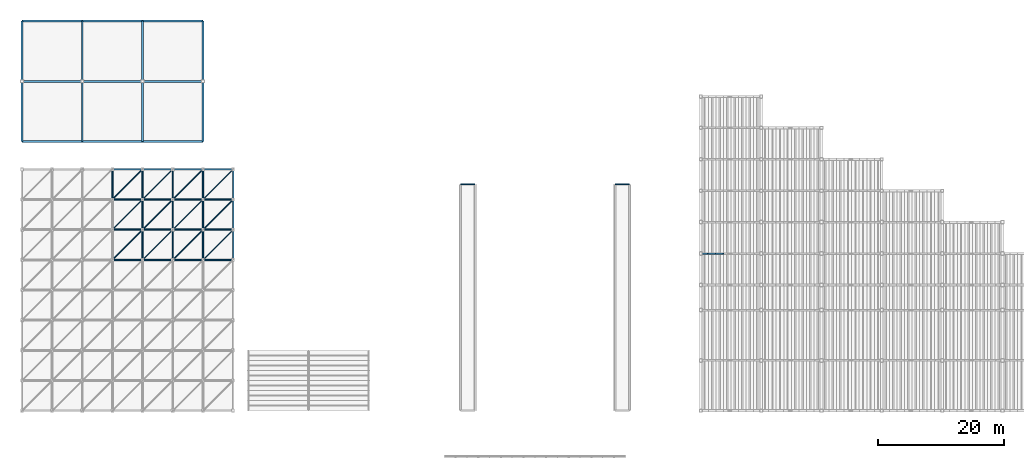
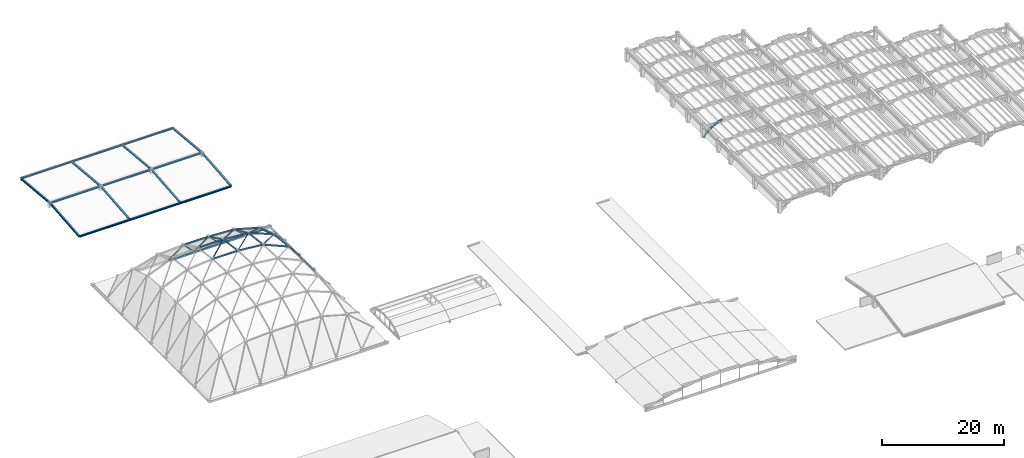
# One storey, part 19 of 70: 37 members, 26 beams.
"""IFC4 building model written with IfcOpenShell, lengths in metres."""

import ifcopenshell
import ifcopenshell.guid

model = None  # the IFC model being written
_history = None  # IfcOwnerHistory: only IFC2X3 demands one
_inside = {}  # id of a spatial element -> (the spatial element, [elements in it])
_under = {}  # id of a project, library or spatial element -> (it, [spatial elements below it])
_declared = {}  # id of a project -> (the project, [libraries it declares])
_typed = {}  # id of a type object -> (the type object, [elements of that type])
_made_of = {}  # id of a material, layer set ... -> (it, [elements and type objects made of it])


def new_model(schema):
    """Start an empty IFC model of exactly this schema.

    Asked for "IFC4X3", IfcOpenShell would pick the latest addendum, in which some entities
    have other attributes; the version numbers below select the first issue.
    IFC2X3 requires an IfcOwnerHistory on every rooted entity: one is made here for all.
    """
    global model, _history
    if schema == "IFC4X3":
        model = ifcopenshell.file(schema_version=(4, 3, 0, 0))
    else:
        model = ifcopenshell.file(schema=schema)
    _inside.clear()
    _under.clear()
    _declared.clear()
    _typed.clear()
    _made_of.clear()
    _history = None
    if model.schema == "IFC2X3":
        org = make("IfcOrganization", Name="unknown")
        user = make(
            "IfcPersonAndOrganization",
            ThePerson=make("IfcPerson", FamilyName="unknown"),
            TheOrganization=org,
        )
        app = make(
            "IfcApplication",
            ApplicationDeveloper=org,
            Version="unknown",
            ApplicationFullName="unknown",
            ApplicationIdentifier="unknown",
        )
        _history = make(
            "IfcOwnerHistory",
            OwningUser=user,
            OwningApplication=app,
            ChangeAction="ADDED",
            CreationDate=0,
        )
    return model


def make(cls, **values):
    """One entity of the class cls with the attributes given. An attribute that is None is left unset."""
    return model.create_entity(
        cls, **{name: value for name, value in values.items() if value is not None}
    )


def rooted(cls, **values):
    """An entity with a GlobalId (a new one), such as an element, a storey or a relation."""
    return make(cls, GlobalId=ifcopenshell.guid.new(), OwnerHistory=_history, **values)


def si_unit(unit_type, name, prefix=None):
    """IfcSIUnit, for example si_unit("LENGTHUNIT", "METRE", prefix="MILLI")."""
    return make("IfcSIUnit", UnitType=unit_type, Prefix=prefix, Name=name)


def assignment(units):
    """IfcUnitAssignment: the units of a project."""
    return None if units is None else make("IfcUnitAssignment", Units=units)


def point(xyz):
    """IfcCartesianPoint."""
    return None if xyz is None else make("IfcCartesianPoint", Coordinates=xyz)


def direction(xyz):
    """IfcDirection."""
    return None if xyz is None else make("IfcDirection", DirectionRatios=xyz)


def frame(location, z_axis=None, x_axis=None):
    """IfcAxis2Placement3D, a coordinate frame: its origin and axes. An axis left out is left unset."""
    return make(
        "IfcAxis2Placement3D",
        Location=point(location),
        Axis=direction(z_axis),
        RefDirection=direction(x_axis),
    )


def frame_2d(location, x_axis=None):
    """IfcAxis2Placement2D, a coordinate frame in the plane: its origin and x axis."""
    return make(
        "IfcAxis2Placement2D", Location=point(location), RefDirection=direction(x_axis)
    )


def origin():
    """The frame at (0, 0, 0) with its axes left unset."""
    return frame((0.0, 0.0, 0.0))


def origin_2d():
    """The frame at (0, 0) in the plane with its x axis left unset."""
    return frame_2d((0.0, 0.0))


def place(relative_to, where):
    """IfcLocalPlacement: puts the frame where relative to a parent placement (None: the world)."""
    return make(
        "IfcLocalPlacement", PlacementRelTo=relative_to, RelativePlacement=where
    )


def context(
    kind, dimensions, precision=None, world=None, true_north=None, identifier=None
):
    """IfcGeometricRepresentationContext, for example the 3D "Model" context."""
    return make(
        "IfcGeometricRepresentationContext",
        ContextIdentifier=identifier,
        ContextType=kind,
        CoordinateSpaceDimension=dimensions,
        Precision=precision,
        WorldCoordinateSystem=world,
        TrueNorth=true_north,
    )


def subcontext(parent, identifier, kind, view, scale=None):
    """IfcGeometricRepresentationSubContext, for example "Body" below "Model"."""
    return make(
        "IfcGeometricRepresentationSubContext",
        ContextIdentifier=identifier,
        ContextType=kind,
        ParentContext=parent,
        TargetScale=scale,
        TargetView=view,
    )


def project(units=None, contexts=None):
    """IfcProject with its units and contexts."""
    return rooted(
        "IfcProject",
        Name="project",
        RepresentationContexts=contexts,
        UnitsInContext=assignment(units),
    )


def spatial(cls, under=None, at=None, **own):
    """A site, building, storey or space (cls), placed at a placement, below another one or the project."""
    s = rooted(cls, ObjectPlacement=at, **own)
    if under is not None:
        _under.setdefault(under.id(), (under, []))[1].append(s)
    return s


def profile(cls, at=None, kind="AREA", **sizes):
    """A parametric profile (cls). Its sizes go by their IFC names, for example OverallWidth=200.0."""
    return make(cls, ProfileType=kind, Position=at, **sizes)


def hollow_rectangle(**sizes):
    """IfcRectangleHollowProfileDef."""
    return profile("IfcRectangleHollowProfileDef", **sizes)


def hollow_circle(**sizes):
    """IfcCircleHollowProfileDef."""
    return profile("IfcCircleHollowProfileDef", **sizes)


def i_section(**sizes):
    """IfcIShapeProfileDef."""
    return profile("IfcIShapeProfileDef", **sizes)


def extrude(swept, where, along, depth):
    """IfcExtrudedAreaSolid: the profile swept, set in the frame where, extruded along a direction by depth."""
    return make(
        "IfcExtrudedAreaSolid",
        SweptArea=swept,
        Position=where,
        ExtrudedDirection=direction(along),
        Depth=depth,
    )


def shape(context_of_items, identifier, shape_type, items):
    """IfcShapeRepresentation: the items that make up one representation, for example the "Body"."""
    return make(
        "IfcShapeRepresentation",
        ContextOfItems=context_of_items,
        RepresentationIdentifier=identifier,
        RepresentationType=shape_type,
        Items=items,
    )


def material(Name=None, Category=None):
    """IfcMaterial."""
    return make("IfcMaterial", Name=Name, Category=Category)


def material_profile(
    of_material, cross_section, Name=None, Category=None, Priority=None
):
    """IfcMaterialProfile: a cross section and its material."""
    return make(
        "IfcMaterialProfile",
        Name=Name,
        Material=of_material,
        Profile=cross_section,
        Priority=Priority,
        Category=Category,
    )


def profile_set(profiles, Name=None, composite=None):
    """IfcMaterialProfileSet."""
    return make(
        "IfcMaterialProfileSet",
        Name=Name,
        MaterialProfiles=profiles,
        CompositeProfile=composite,
    )


def made_of(thing, what):
    """Note that an element or type object is made of a material, layer set ...; save() writes the relation."""
    if what is not None:
        _made_of.setdefault(what.id(), (what, []))[1].append(thing)
    return thing


def type_object(cls, material=None, **own):
    """A type object (cls), such as IfcWallType, which elements share."""
    return made_of(rooted(cls, **own), material)


def element(
    cls,
    number,
    at=None,
    inside=None,
    cuts=None,
    type_object=None,
    material=None,
    context=None,
    identifier="Body",
    shape_type=None,
    held_by="IfcProductDefinitionShape",
    body=None,
    shapes=None,
    **own,
):
    """One element of the class cls, such as IfcWall. Its Tag is "e" and its number.

    at: its placement. inside: the storey or other place that contains it. cuts: it is an
    opening in that element (IfcRelVoidsElement). A single representation is given by context,
    identifier, shape_type and body (its items); several are given by shapes. held_by: the class
    of the entity that holds the representations. save() writes the other relations.
    """
    e = rooted(cls, Tag="e%d" % number, ObjectPlacement=at, **own)
    if body is not None:
        shapes = [shape(context, identifier, shape_type, body)]
    if shapes is not None:
        e.Representation = make(held_by, Representations=shapes)
    if inside is not None:
        _inside.setdefault(inside.id(), (inside, []))[1].append(e)
    if cuts is not None:
        rooted(
            "IfcRelVoidsElement", RelatingBuildingElement=cuts, RelatedOpeningElement=e
        )
    if type_object is not None:
        _typed.setdefault(type_object.id(), (type_object, []))[1].append(e)
    return made_of(e, material)


def aggregate(whole, parts):
    """IfcRelAggregates: a whole, such as a stair, and the parts it consists of."""
    return rooted("IfcRelAggregates", RelatingObject=whole, RelatedObjects=parts)


def save(model, path):
    """Write the relations noted so far, then the file.

    IfcRelAggregates (storeys below a building ...), IfcRelContainedInSpatialStructure (elements
    in a storey), IfcRelDefinesByType, IfcRelAssociatesMaterial and IfcRelDeclares: one each for
    every whole, place, type object, material and project.
    """
    for whole, parts in _under.values():
        aggregate(whole, parts)
    for where, things in _inside.values():
        rooted(
            "IfcRelContainedInSpatialStructure",
            RelatedElements=things,
            RelatingStructure=where,
        )
    for kind, things in _typed.values():
        rooted("IfcRelDefinesByType", RelatedObjects=things, RelatingType=kind)
    for what, things in _made_of.values():
        rooted("IfcRelAssociatesMaterial", RelatedObjects=things, RelatingMaterial=what)
    for by, libraries in _declared.values():
        rooted("IfcRelDeclares", RelatingContext=by, RelatedDefinitions=libraries)
    model.write(path)


model = new_model("IFC4")

# Units and contexts
model_context = context("Model", 3, precision=1e-05, world=origin(), true_north=direction((0.0, 1.0)))
body_context = subcontext(model_context, "Body", "Model", "MODEL_VIEW")
ifc_project = project(units=[si_unit("LENGTHUNIT", "METRE"), si_unit("AREAUNIT", "SQUARE_METRE"), si_unit("VOLUMEUNIT", "CUBIC_METRE"), si_unit("PLANEANGLEUNIT", "RADIAN"), si_unit("MASSUNIT", "GRAM", prefix="KILO")], contexts=[model_context])

# Site, building, storey
site_placement = place(None, origin())
site = spatial("IfcSite", under=ifc_project, at=site_placement, CompositionType="ELEMENT")
building_placement = place(site_placement, origin())
building = spatial("IfcBuilding", under=site, at=building_placement, Name="Mavantir Sound Aquarium", CompositionType="ELEMENT")
storey_placement = place(building_placement, frame((0.0, 0.0, 27.0)))
storey = spatial("IfcBuildingStorey", under=building, at=storey_placement, Name="RF", CompositionType="ELEMENT", Elevation=27.0)

# Beams
ifc_material_1 = material(Name="Hollow Structural Steel ASTM A500 GrC", Category="steel")
ifc_material_profile_1 = material_profile(ifc_material_1, hollow_rectangle(XDim=0.25, YDim=0.35009765625, WallThickness=0.012451171875, InnerFilletRadius=0.012451171875, OuterFilletRadius=0.02490234375, at=origin_2d()), Name="RHS 350X250X12.5")
ifc_profile_set_1 = profile_set([ifc_material_profile_1], Name="Hollow Structural Steel ASTM A500 GrC")
beam_type_1 = type_object("IfcBeamType", Name="BM-RB-RHS350-E", PredefinedType="BEAM", material=ifc_profile_set_1)
for number, where, z_axis, x_axis, name in (
    (1, (14.39990234375, 79.199951171875, -7.419921875), (0.999991302772, 0.0, 0.004170656977), (0.0, 1.0, 0.0), "Gridshell perimeter ring beam RB-02 8"),
    (2, (19.199951171875, 79.199951171875, -7.419921875), (0.999991302772, 0.0, 0.004170656977), (0.0, 1.0, 0.0), "Gridshell perimeter ring beam RB-02 10"),
    (3, (24.0, 79.199951171875, -7.419921875), (0.999991302772, 0.0, 0.004170656977), (0.0, 1.0, 0.0), "Gridshell perimeter ring beam RB-02 12"),
    (4, (28.800048828125, 79.199951171875, -7.419921875), (0.999991302772, 0.0, 0.004170656977), (0.0, 1.0, 0.0), "Gridshell perimeter ring beam RB-02 14"),
    (5, (33.60009765625, 64.800048828125, -7.419921875), (0.0, 0.999991302772, 0.004170656977), (-1.0, 0.0, 0.0), "Gridshell perimeter ring beam RB-02 26"),
):
    element("IfcBeam", number, at=place(storey_placement, frame(where, z_axis=z_axis, x_axis=x_axis)), inside=storey, type_object=beam_type_1, Name=name, PredefinedType="BEAM", context=body_context, shape_type="SweptSolid", body=[
        extrude(hollow_rectangle(XDim=0.25, YDim=0.35009765625, WallThickness=0.012451171875, InnerFilletRadius=0.012451171875, OuterFilletRadius=0.02490234375, at=origin_2d()), origin(), (0.0, 0.0, 1.0), 4.800048828125),
    ])
beam_1_placement = place(storey_placement, frame((33.60009765625, 69.60009765625, -7.419921875), z_axis=(0.0, 0.999991301888, 0.004170869113), x_axis=(-1.0, 0.0, 0.0)))
element("IfcBeam", 6, at=beam_1_placement, inside=storey, type_object=beam_type_1, Name="Gridshell perimeter ring beam RB-02 28", PredefinedType="BEAM", context=body_context, shape_type="SweptSolid", body=[
    extrude(hollow_rectangle(XDim=0.25, YDim=0.35009765625, WallThickness=0.012451171875, InnerFilletRadius=0.012451171875, OuterFilletRadius=0.02490234375, at=origin_2d()), origin(), (0.0, 0.0, 1.0), 4.7998046875),
])
beam_2_placement = place(storey_placement, frame((33.60009765625, 74.39990234375, -7.419921875), z_axis=(0.0, 0.999991302772, 0.004170656977), x_axis=(-1.0, 0.0, 0.0)))
element("IfcBeam", 7, at=beam_2_placement, inside=storey, type_object=beam_type_1, Name="Gridshell perimeter ring beam RB-02 30", PredefinedType="BEAM", context=body_context, shape_type="SweptSolid", body=[
    extrude(hollow_rectangle(XDim=0.25, YDim=0.35009765625, WallThickness=0.012451171875, InnerFilletRadius=0.012451171875, OuterFilletRadius=0.02490234375, at=origin_2d()), origin(), (0.0, 0.0, 1.0), 4.800048828125),
])
ifc_material_profile_2 = material_profile(ifc_material_1, hollow_rectangle(XDim=0.14990234375, YDim=0.25, WallThickness=0.010009765625, InnerFilletRadius=0.010009765625, OuterFilletRadius=0.02001953125, at=origin_2d()), Name="RHS 250X150X10")
ifc_profile_set_2 = profile_set([ifc_material_profile_2], Name="Hollow Structural Steel ASTM A500 GrC")
beam_type_2 = type_object("IfcBeamType", Name="BM-RHS250-E", PredefinedType="BEAM", material=ifc_profile_set_2)
beam_3_placement = place(storey_placement, frame((69.800048828125, 76.800048828125, -22.52490234375), z_axis=(1.0, 0.0, 0.0), x_axis=(0.0, 1.0, 0.0)))
element("IfcBeam", 8, at=beam_3_placement, inside=storey, type_object=beam_type_2, Name="Tidal court colonnade cross beam W2", PredefinedType="BEAM", context=body_context, shape_type="SweptSolid", body=[
    extrude(hollow_rectangle(XDim=0.14990234375, YDim=0.25, WallThickness=0.010009765625, InnerFilletRadius=0.010009765625, OuterFilletRadius=0.02001953125, at=origin_2d()), origin(), (0.0, 0.0, 1.0), 2.199951171875),
])
beam_4_placement = place(storey_placement, frame((94.39990234375, 76.800048828125, -22.52490234375), z_axis=(1.0, 0.0, 0.0), x_axis=(0.0, 1.0, 0.0)))
element("IfcBeam", 9, at=beam_4_placement, inside=storey, type_object=beam_type_2, Name="Tidal court colonnade cross beam E2", PredefinedType="BEAM", context=body_context, shape_type="SweptSolid", body=[
    extrude(hollow_rectangle(XDim=0.14990234375, YDim=0.25, WallThickness=0.010009765625, InnerFilletRadius=0.010009765625, OuterFilletRadius=0.02001953125, at=origin_2d()), origin(), (0.0, 0.0, 1.0), 2.2001953125),
])
ifc_material_2 = material(Name="Structural Steel ASTM A992 Gr50", Category="steel")
ifc_material_profile_3 = material_profile(ifc_material_2, i_section(OverallWidth=0.304931640625, OverallDepth=0.30810546875, WebThickness=0.010009765625, FlangeThickness=0.015380859375, FilletRadius=0.014892578125, at=origin_2d()), Name="W310X97")
ifc_profile_set_3 = profile_set([ifc_material_profile_3], Name="Structural Steel ASTM A992 Gr50")
beam_type_3 = type_object("IfcBeamType", Name="BM-W310X97-E", PredefinedType="SPANDREL", material=ifc_profile_set_3)
beam_5_placement = place(storey_placement, frame((0.0, 83.60009765625, -0.177490234375), z_axis=(1.0, 0.0, 0.0), x_axis=(0.0, 1.0, 0.0)))
element("IfcBeam", 10, at=beam_5_placement, inside=storey, type_object=beam_type_3, Name="Pavilion roof rafter beam 26", PredefinedType="SPANDREL", context=body_context, shape_type="SweptSolid", body=[
    extrude(i_section(OverallWidth=0.304931640625, OverallDepth=0.30810546875, WebThickness=0.010009765625, FlangeThickness=0.015380859375, FilletRadius=0.014892578125, at=origin_2d()), origin(), (0.0, 0.0, 1.0), 9.60009765625),
])
beam_6_placement = place(storey_placement, frame((9.60009765625, 83.60009765625, -0.177490234375), z_axis=(1.0, 0.0, 0.0), x_axis=(0.0, 1.0, 0.0)))
element("IfcBeam", 11, at=beam_6_placement, inside=storey, type_object=beam_type_3, Name="Pavilion roof rafter beam 27", PredefinedType="SPANDREL", context=body_context, shape_type="SweptSolid", body=[
    extrude(i_section(OverallWidth=0.304931640625, OverallDepth=0.30810546875, WebThickness=0.010009765625, FlangeThickness=0.015380859375, FilletRadius=0.014892578125, at=origin_2d()), origin(), (0.0, 0.0, 1.0), 9.599853515625),
])
for number, where, z_axis, x_axis, name in (
    (12, (19.199951171875, 83.60009765625, -0.177490234375), (1.0, 0.0, 0.0), (0.0, 1.0, 0.0), "Pavilion roof rafter beam 28"),
    (13, (0.0, 93.199951171875, 0.722412109375), (1.0, 0.0, 0.0), (0.0, 1.0, 0.0), "Pavilion roof rafter beam 29"),
):
    element("IfcBeam", number, at=place(storey_placement, frame(where, z_axis=z_axis, x_axis=x_axis)), inside=storey, type_object=beam_type_3, Name=name, PredefinedType="SPANDREL", context=body_context, shape_type="SweptSolid", body=[
        extrude(i_section(OverallWidth=0.304931640625, OverallDepth=0.30810546875, WebThickness=0.010009765625, FlangeThickness=0.015380859375, FilletRadius=0.014892578125, at=origin_2d()), origin(), (0.0, 0.0, 1.0), 9.60009765625),
    ])
beam_7_placement = place(storey_placement, frame((9.60009765625, 93.199951171875, 0.722412109375), z_axis=(1.0, 0.0, 0.0), x_axis=(0.0, 1.0, 0.0)))
element("IfcBeam", 14, at=beam_7_placement, inside=storey, type_object=beam_type_3, Name="Pavilion roof rafter beam 30", PredefinedType="SPANDREL", context=body_context, shape_type="SweptSolid", body=[
    extrude(i_section(OverallWidth=0.304931640625, OverallDepth=0.30810546875, WebThickness=0.010009765625, FlangeThickness=0.015380859375, FilletRadius=0.014892578125, at=origin_2d()), origin(), (0.0, 0.0, 1.0), 9.599853515625),
])
beam_8_placement = place(storey_placement, frame((19.199951171875, 93.199951171875, 0.722412109375), z_axis=(1.0, 0.0, 0.0), x_axis=(0.0, 1.0, 0.0)))
element("IfcBeam", 15, at=beam_8_placement, inside=storey, type_object=beam_type_3, Name="Pavilion roof rafter beam 31", PredefinedType="SPANDREL", context=body_context, shape_type="SweptSolid", body=[
    extrude(i_section(OverallWidth=0.304931640625, OverallDepth=0.30810546875, WebThickness=0.010009765625, FlangeThickness=0.015380859375, FilletRadius=0.014892578125, at=origin_2d()), origin(), (0.0, 0.0, 1.0), 9.60009765625),
])
for number, where, z_axis, x_axis, name in (
    (16, (0.0, 83.60009765625, -0.163818359375), (0.0, 0.995635034911, 0.093332080534), (-1.0, 0.0, 0.0), "Pavilion roof slope rafter 32"),
    (17, (9.60009765625, 83.60009765625, -0.163818359375), (0.0, 0.995635034911, 0.093332080534), (-1.0, 0.0, 0.0), "Pavilion roof slope rafter 33"),
    (18, (19.199951171875, 83.60009765625, -0.163818359375), (0.0, 0.995635034911, 0.093332080534), (-1.0, 0.0, 0.0), "Pavilion roof slope rafter 34"),
    (19, (28.800048828125, 83.60009765625, -0.163818359375), (0.0, 0.995635034911, 0.093332080534), (-1.0, 0.0, 0.0), "Pavilion roof slope rafter 35"),
):
    element("IfcBeam", number, at=place(storey_placement, frame(where, z_axis=z_axis, x_axis=x_axis)), inside=storey, type_object=beam_type_3, Name=name, PredefinedType="SPANDREL", context=body_context, shape_type="SweptSolid", body=[
        extrude(i_section(OverallWidth=0.304931640625, OverallDepth=0.30810546875, WebThickness=0.010009765625, FlangeThickness=0.015380859375, FilletRadius=0.014892578125, at=origin_2d()), origin(), (0.0, 0.0, 1.0), 9.641845703125),
    ])
beam_9_placement = place(storey_placement, frame((0.0, 102.800048828125, -0.177490234375), z_axis=(1.0, 0.0, 0.0), x_axis=(0.0, 1.0, 0.0)))
element("IfcBeam", 20, at=beam_9_placement, inside=storey, type_object=beam_type_3, Name="Pavilion roof rafter beam 36", PredefinedType="SPANDREL", context=body_context, shape_type="SweptSolid", body=[
    extrude(i_section(OverallWidth=0.304931640625, OverallDepth=0.30810546875, WebThickness=0.010009765625, FlangeThickness=0.015380859375, FilletRadius=0.014892578125, at=origin_2d()), origin(), (0.0, 0.0, 1.0), 9.60009765625),
])
beam_10_placement = place(storey_placement, frame((9.60009765625, 102.800048828125, -0.177490234375), z_axis=(1.0, 0.0, 0.0), x_axis=(0.0, 1.0, 0.0)))
element("IfcBeam", 21, at=beam_10_placement, inside=storey, type_object=beam_type_3, Name="Pavilion roof rafter beam 37", PredefinedType="SPANDREL", context=body_context, shape_type="SweptSolid", body=[
    extrude(i_section(OverallWidth=0.304931640625, OverallDepth=0.30810546875, WebThickness=0.010009765625, FlangeThickness=0.015380859375, FilletRadius=0.014892578125, at=origin_2d()), origin(), (0.0, 0.0, 1.0), 9.599853515625),
])
beam_11_placement = place(storey_placement, frame((19.199951171875, 102.800048828125, -0.177490234375), z_axis=(1.0, 0.0, 0.0), x_axis=(0.0, 1.0, 0.0)))
element("IfcBeam", 22, at=beam_11_placement, inside=storey, type_object=beam_type_3, Name="Pavilion roof rafter beam 38", PredefinedType="SPANDREL", context=body_context, shape_type="SweptSolid", body=[
    extrude(i_section(OverallWidth=0.304931640625, OverallDepth=0.30810546875, WebThickness=0.010009765625, FlangeThickness=0.015380859375, FilletRadius=0.014892578125, at=origin_2d()), origin(), (0.0, 0.0, 1.0), 9.60009765625),
])
for number, where, z_axis, x_axis, name in (
    (23, (0.0, 93.199951171875, 0.736083984375), (0.0, 0.995635255469, -0.093329727676), (-1.0, 0.0, 0.0), "Pavilion roof slope rafter 39"),
    (24, (9.60009765625, 93.199951171875, 0.736083984375), (0.0, 0.995635255469, -0.093329727676), (-1.0, 0.0, 0.0), "Pavilion roof slope rafter 40"),
    (25, (19.199951171875, 93.199951171875, 0.736083984375), (0.0, 0.995635255469, -0.093329727676), (-1.0, 0.0, 0.0), "Pavilion roof slope rafter 41"),
    (26, (28.800048828125, 93.199951171875, 0.736083984375), (0.0, 0.995635255469, -0.093329727676), (-1.0, 0.0, 0.0), "Pavilion roof slope rafter 42"),
):
    element("IfcBeam", number, at=place(storey_placement, frame(where, z_axis=z_axis, x_axis=x_axis)), inside=storey, type_object=beam_type_3, Name=name, PredefinedType="SPANDREL", context=body_context, shape_type="SweptSolid", body=[
        extrude(i_section(OverallWidth=0.304931640625, OverallDepth=0.30810546875, WebThickness=0.010009765625, FlangeThickness=0.015380859375, FilletRadius=0.014892578125, at=origin_2d()), origin(), (0.0, 0.0, 1.0), 9.64208984375),
    ])

# Members
ifc_material_profile_4 = material_profile(ifc_material_1, hollow_circle(Radius=0.084228515625, WallThickness=0.008056640625, at=origin_2d()), Name="CHS 168.3X8")
ifc_profile_set_4 = profile_set([ifc_material_profile_4], Name="Hollow Structural Steel ASTM A500 GrC")
member_type_1 = type_object("IfcMemberType", Name="MEM-GS-CH168", PredefinedType="BRACE", material=ifc_profile_set_4)
member_1_placement = place(storey_placement, frame((14.39990234375, 69.60009765625, 0.963623046875), z_axis=(0.669745968035, 0.66971190334, -0.320821297338), x_axis=(-0.707088798028, 0.707124763888, 0.0)))
element("IfcMember", 27, at=member_1_placement, inside=storey, type_object=member_type_1, Name="Gridshell diagonal brace 31", PredefinedType="BRACE", context=body_context, shape_type="SweptSolid", body=[
    extrude(hollow_circle(Radius=0.084228515625, WallThickness=0.008056640625, at=origin_2d()), origin(), (0.0, 0.0, 1.0), 7.1669921875),
])
member_2_placement = place(storey_placement, frame((19.199951171875, 64.800048828125, 1.642578125), z_axis=(0.698535901191, 0.698535901191, -0.155226252597), x_axis=(-0.707106781187, 0.707106781187, 0.0)))
element("IfcMember", 28, at=member_2_placement, inside=storey, type_object=member_type_1, Name="Gridshell diagonal brace 38", PredefinedType="BRACE", context=body_context, shape_type="SweptSolid", body=[
    extrude(hollow_circle(Radius=0.084228515625, WallThickness=0.008056640625, at=origin_2d()), origin(), (0.0, 0.0, 1.0), 6.87158203125),
])
member_3_placement = place(storey_placement, frame((19.199951171875, 74.39990234375, -1.335693359375), z_axis=(0.535090722086, 0.535090722086, -0.653724589009), x_axis=(-0.707106781187, 0.707106781187, 0.0)))
element("IfcMember", 29, at=member_3_placement, inside=storey, type_object=member_type_1, Name="Gridshell diagonal brace 40", PredefinedType="BRACE", context=body_context, shape_type="SweptSolid", body=[
    extrude(hollow_circle(Radius=0.084228515625, WallThickness=0.008056640625, at=origin_2d()), origin(), (0.0, 0.0, 1.0), 8.970458984375),
])
member_4_placement = place(storey_placement, frame((24.0, 69.60009765625, 0.575927734375), z_axis=(0.627946587393, 0.627914648703, -0.459789383659), x_axis=(-0.707088798028, 0.707124763888, 0.0)))
element("IfcMember", 30, at=member_4_placement, inside=storey, type_object=member_type_1, Name="Gridshell diagonal brace 47", PredefinedType="BRACE", context=body_context, shape_type="SweptSolid", body=[
    extrude(hollow_circle(Radius=0.084228515625, WallThickness=0.008056640625, at=origin_2d()), origin(), (0.0, 0.0, 1.0), 7.64404296875),
])
member_5_placement = place(storey_placement, frame((28.800048828125, 64.800048828125, -0.8916015625), z_axis=(0.517975495751, 0.517975495751, -0.680736932745), x_axis=(-0.707106781187, 0.707106781187, 0.0)))
element("IfcMember", 31, at=member_5_placement, inside=storey, type_object=member_type_1, Name="Gridshell diagonal brace 54", PredefinedType="BRACE", context=body_context, shape_type="SweptSolid", body=[
    extrude(hollow_circle(Radius=0.084228515625, WallThickness=0.008056640625, at=origin_2d()), origin(), (0.0, 0.0, 1.0), 9.266845703125),
])
member_6_placement = place(storey_placement, frame((28.800048828125, 74.39990234375, -2.938720703125), z_axis=(0.598888802262, 0.598888802262, -0.531661927404), x_axis=(-0.707106781187, 0.707106781187, 0.0)))
element("IfcMember", 32, at=member_6_placement, inside=storey, type_object=member_type_1, Name="Gridshell diagonal brace 56", PredefinedType="BRACE", context=body_context, shape_type="SweptSolid", body=[
    extrude(hollow_circle(Radius=0.084228515625, WallThickness=0.008056640625, at=origin_2d()), origin(), (0.0, 0.0, 1.0), 8.014892578125),
])
ifc_material_profile_5 = material_profile(ifc_material_1, hollow_circle(Radius=0.109619140625, WallThickness=0.010009765625, at=origin_2d()), Name="CHS 219.1X10")
ifc_profile_set_5 = profile_set([ifc_material_profile_5], Name="Hollow Structural Steel ASTM A500 GrC")
member_type_2 = type_object("IfcMemberType", Name="MEM-GS-CH219", PredefinedType="BRACE", material=ifc_profile_set_5)
member_7_placement = place(storey_placement, frame((14.39990234375, 64.800048828125, 1.642578125), z_axis=(0.703596255032, 0.703596255032, -0.099521956424), x_axis=(-0.707106781187, 0.707106781187, 0.0)))
element("IfcMember", 33, at=member_7_placement, inside=storey, type_object=member_type_2, Name="Gridshell diagonal brace 30", PredefinedType="BRACE", context=body_context, shape_type="SweptSolid", body=[
    extrude(hollow_circle(Radius=0.109619140625, WallThickness=0.010009765625, at=origin_2d()), origin(), (0.0, 0.0, 1.0), 6.822265625),
])
member_8_placement = place(storey_placement, frame((14.39990234375, 74.39990234375, -1.335693359375), z_axis=(0.535090722086, 0.535090722086, -0.653724589009), x_axis=(-0.707106781187, 0.707106781187, 0.0)))
element("IfcMember", 34, at=member_8_placement, inside=storey, type_object=member_type_2, Name="Gridshell diagonal brace 32", PredefinedType="BRACE", context=body_context, shape_type="SweptSolid", body=[
    extrude(hollow_circle(Radius=0.109619140625, WallThickness=0.010009765625, at=origin_2d()), origin(), (0.0, 0.0, 1.0), 8.970458984375),
])
member_9_placement = place(storey_placement, frame((19.199951171875, 69.60009765625, 0.963623046875), z_axis=(0.661870817693, 0.661837153545, -0.351992333544), x_axis=(-0.707088798028, 0.707124763888, 0.0)))
element("IfcMember", 35, at=member_9_placement, inside=storey, type_object=member_type_2, Name="Gridshell diagonal brace 39", PredefinedType="BRACE", context=body_context, shape_type="SweptSolid", body=[
    extrude(hollow_circle(Radius=0.109619140625, WallThickness=0.010009765625, at=origin_2d()), origin(), (0.0, 0.0, 1.0), 7.252197265625),
])
member_10_placement = place(storey_placement, frame((24.0, 64.800048828125, 1.17431640625), z_axis=(0.663855806907, 0.663855806907, -0.344370346099), x_axis=(-0.707106781187, 0.707106781187, 0.0)))
element("IfcMember", 36, at=member_10_placement, inside=storey, type_object=member_type_2, Name="Gridshell diagonal brace 46", PredefinedType="BRACE", context=body_context, shape_type="SweptSolid", body=[
    extrude(hollow_circle(Radius=0.109619140625, WallThickness=0.010009765625, at=origin_2d()), origin(), (0.0, 0.0, 1.0), 7.23046875),
])
member_11_placement = place(storey_placement, frame((24.0, 74.39990234375, -1.589111328125), z_axis=(0.545029317962, 0.545029317962, -0.637091896923), x_axis=(-0.707106781187, 0.707106781187, 0.0)))
element("IfcMember", 37, at=member_11_placement, inside=storey, type_object=member_type_2, Name="Gridshell diagonal brace 48", PredefinedType="BRACE", context=body_context, shape_type="SweptSolid", body=[
    extrude(hollow_circle(Radius=0.109619140625, WallThickness=0.010009765625, at=origin_2d()), origin(), (0.0, 0.0, 1.0), 8.806884765625),
])
member_12_placement = place(storey_placement, frame((28.800048828125, 69.60009765625, -1.315673828125), z_axis=(0.534318205262, 0.53429102871, -0.655009276397), x_axis=(-0.707088798028, 0.707124763888, 0.0)))
element("IfcMember", 38, at=member_12_placement, inside=storey, type_object=member_type_2, Name="Gridshell diagonal brace 55", PredefinedType="BRACE", context=body_context, shape_type="SweptSolid", body=[
    extrude(hollow_circle(Radius=0.109619140625, WallThickness=0.010009765625, at=origin_2d()), origin(), (0.0, 0.0, 1.0), 8.9833984375),
])
ifc_material_profile_6 = material_profile(ifc_material_1, hollow_circle(Radius=0.136474609375, WallThickness=0.010009765625, at=origin_2d()), Name="CHS 273X10")
ifc_profile_set_6 = profile_set([ifc_material_profile_6], Name="Hollow Structural Steel ASTM A500 GrC")
member_type_3 = type_object("IfcMemberType", Name="MEM-GS-CH273", PredefinedType="CHORD", material=ifc_profile_set_6)
member_13_placement = place(storey_placement, frame((14.39990234375, 74.39990234375, -1.335693359375), z_axis=(0.0, 0.633397421078, -0.773826664681), x_axis=(-1.0, 0.0, 0.0)))
element("IfcMember", 39, at=member_13_placement, inside=storey, type_object=member_type_3, Name="Roof truss gridshell meridional chord 73", PredefinedType="CHORD", context=body_context, shape_type="SweptSolid", body=[
    extrude(hollow_circle(Radius=0.136474609375, WallThickness=0.010009765625, at=origin_2d()), origin(), (0.0, 0.0, 1.0), 7.578369140625),
])
member_14_placement = place(storey_placement, frame((19.199951171875, 64.800048828125, 1.642578125), z_axis=(0.0, 0.990143948681, -0.14005342156), x_axis=(-1.0, 0.0, 0.0)))
element("IfcMember", 40, at=member_14_placement, inside=storey, type_object=member_type_3, Name="Roof truss gridshell meridional chord 79", PredefinedType="CHORD", context=body_context, shape_type="SweptSolid", body=[
    extrude(hollow_circle(Radius=0.136474609375, WallThickness=0.010009765625, at=origin_2d()), origin(), (0.0, 0.0, 1.0), 4.847900390625),
])
member_15_placement = place(storey_placement, frame((19.199951171875, 69.60009765625, 0.963623046875), z_axis=(0.0, 0.901859225286, -0.432030019519), x_axis=(-1.0, 0.0, 0.0)))
element("IfcMember", 41, at=member_15_placement, inside=storey, type_object=member_type_3, Name="Roof truss gridshell meridional chord 80", PredefinedType="CHORD", context=body_context, shape_type="SweptSolid", body=[
    extrude(hollow_circle(Radius=0.136474609375, WallThickness=0.010009765625, at=origin_2d()), origin(), (0.0, 0.0, 1.0), 5.322021484375),
])
member_16_placement = place(storey_placement, frame((19.199951171875, 74.39990234375, -1.335693359375), z_axis=(0.0, 0.633397421078, -0.773826664681), x_axis=(-1.0, 0.0, 0.0)))
element("IfcMember", 42, at=member_16_placement, inside=storey, type_object=member_type_3, Name="Roof truss gridshell meridional chord 81", PredefinedType="CHORD", context=body_context, shape_type="SweptSolid", body=[
    extrude(hollow_circle(Radius=0.136474609375, WallThickness=0.010009765625, at=origin_2d()), origin(), (0.0, 0.0, 1.0), 7.578369140625),
])
member_17_placement = place(storey_placement, frame((24.0, 64.800048828125, 1.17431640625), z_axis=(0.0, 0.992318975731, -0.123705498678), x_axis=(-1.0, 0.0, 0.0)))
element("IfcMember", 43, at=member_17_placement, inside=storey, type_object=member_type_3, Name="Roof truss gridshell meridional chord 87", PredefinedType="CHORD", context=body_context, shape_type="SweptSolid", body=[
    extrude(hollow_circle(Radius=0.136474609375, WallThickness=0.010009765625, at=origin_2d()), origin(), (0.0, 0.0, 1.0), 4.837158203125),
])
member_18_placement = place(storey_placement, frame((24.0, 69.60009765625, 0.575927734375), z_axis=(0.0, 0.911556772066, -0.411174234724), x_axis=(-1.0, 0.0, 0.0)))
element("IfcMember", 44, at=member_18_placement, inside=storey, type_object=member_type_3, Name="Roof truss gridshell meridional chord 88", PredefinedType="CHORD", context=body_context, shape_type="SweptSolid", body=[
    extrude(hollow_circle(Radius=0.136474609375, WallThickness=0.010009765625, at=origin_2d()), origin(), (0.0, 0.0, 1.0), 5.265380859375),
])
member_19_placement = place(storey_placement, frame((24.0, 74.39990234375, -1.589111328125), z_axis=(0.0, 0.650069508377, -0.759874749073), x_axis=(-1.0, 0.0, 0.0)))
element("IfcMember", 45, at=member_19_placement, inside=storey, type_object=member_type_3, Name="Roof truss gridshell meridional chord 89", PredefinedType="CHORD", context=body_context, shape_type="SweptSolid", body=[
    extrude(hollow_circle(Radius=0.136474609375, WallThickness=0.010009765625, at=origin_2d()), origin(), (0.0, 0.0, 1.0), 7.3837890625),
])
member_20_placement = place(storey_placement, frame((28.800048828125, 64.800048828125, -0.8916015625), z_axis=(0.0, 0.996120058811, -0.088004706889), x_axis=(-1.0, 0.0, 0.0)))
element("IfcMember", 46, at=member_20_placement, inside=storey, type_object=member_type_3, Name="Roof truss gridshell meridional chord 95", PredefinedType="CHORD", context=body_context, shape_type="SweptSolid", body=[
    extrude(hollow_circle(Radius=0.136474609375, WallThickness=0.010009765625, at=origin_2d()), origin(), (0.0, 0.0, 1.0), 4.81884765625),
])
member_21_placement = place(storey_placement, frame((28.800048828125, 69.60009765625, -1.315673828125), z_axis=(0.0, 0.947305977448, -0.320330118926), x_axis=(-1.0, 0.0, 0.0)))
element("IfcMember", 47, at=member_21_placement, inside=storey, type_object=member_type_3, Name="Roof truss gridshell meridional chord 96", PredefinedType="CHORD", context=body_context, shape_type="SweptSolid", body=[
    extrude(hollow_circle(Radius=0.136474609375, WallThickness=0.010009765625, at=origin_2d()), origin(), (0.0, 0.0, 1.0), 5.06689453125),
])
member_22_placement = place(storey_placement, frame((28.800048828125, 74.39990234375, -2.938720703125), z_axis=(0.0, 0.747833075326, -0.663886806202), x_axis=(-1.0, 0.0, 0.0)))
element("IfcMember", 48, at=member_22_placement, inside=storey, type_object=member_type_3, Name="Roof truss gridshell meridional chord 97", PredefinedType="CHORD", context=body_context, shape_type="SweptSolid", body=[
    extrude(hollow_circle(Radius=0.136474609375, WallThickness=0.010009765625, at=origin_2d()), origin(), (0.0, 0.0, 1.0), 6.418701171875),
])
ifc_material_profile_7 = material_profile(ifc_material_1, hollow_circle(Radius=0.161865234375, WallThickness=0.012451171875, at=origin_2d()), Name="CHS 323.9X12.5")
ifc_profile_set_7 = profile_set([ifc_material_profile_7], Name="Hollow Structural Steel ASTM A500 GrC")
member_type_4 = type_object("IfcMemberType", Name="MEM-GS-CH324", PredefinedType="CHORD", material=ifc_profile_set_7)
member_23_placement = place(storey_placement, frame((14.39990234375, 64.800048828125, 1.642578125), z_axis=(1.0, 0.0, 0.0), x_axis=(0.0, 1.0, 0.0)))
element("IfcMember", 49, at=member_23_placement, inside=storey, type_object=member_type_4, Name="Roof truss gridshell longitudinal chord 32", PredefinedType="CHORD", context=body_context, shape_type="SweptSolid", body=[
    extrude(hollow_circle(Radius=0.161865234375, WallThickness=0.012451171875, at=origin_2d()), origin(), (0.0, 0.0, 1.0), 4.800048828125),
])
member_24_placement = place(storey_placement, frame((19.199951171875, 64.800048828125, 1.642578125), z_axis=(0.995275349823, 0.0, -0.09709262606), x_axis=(0.0, 1.0, 0.0)))
element("IfcMember", 50, at=member_24_placement, inside=storey, type_object=member_type_4, Name="Roof truss gridshell longitudinal chord 33", PredefinedType="CHORD", context=body_context, shape_type="SweptSolid", body=[
    extrude(hollow_circle(Radius=0.161865234375, WallThickness=0.012451171875, at=origin_2d()), origin(), (0.0, 0.0, 1.0), 4.82275390625),
])
member_25_placement = place(storey_placement, frame((24.0, 64.800048828125, 1.17431640625), z_axis=(0.918537402152, 0.0, -0.395334087636), x_axis=(0.0, 1.0, 0.0)))
element("IfcMember", 51, at=member_25_placement, inside=storey, type_object=member_type_4, Name="Roof truss gridshell longitudinal chord 34", PredefinedType="CHORD", context=body_context, shape_type="SweptSolid", body=[
    extrude(hollow_circle(Radius=0.161865234375, WallThickness=0.012451171875, at=origin_2d()), origin(), (0.0, 0.0, 1.0), 5.225830078125),
])
member_26_placement = place(storey_placement, frame((28.800048828125, 64.800048828125, -0.8916015625), z_axis=(0.605539218427, 0.0, -0.795815465385), x_axis=(0.0, 1.0, 0.0)))
element("IfcMember", 52, at=member_26_placement, inside=storey, type_object=member_type_4, Name="Roof truss gridshell longitudinal chord 35", PredefinedType="CHORD", context=body_context, shape_type="SweptSolid", body=[
    extrude(hollow_circle(Radius=0.161865234375, WallThickness=0.012451171875, at=origin_2d()), origin(), (0.0, 0.0, 1.0), 7.927001953125),
])
member_27_placement = place(storey_placement, frame((14.39990234375, 69.60009765625, 0.963623046875), z_axis=(1.0, 0.0, 0.0), x_axis=(0.0, 1.0, 0.0)))
element("IfcMember", 53, at=member_27_placement, inside=storey, type_object=member_type_4, Name="Roof truss gridshell longitudinal chord 39", PredefinedType="CHORD", context=body_context, shape_type="SweptSolid", body=[
    extrude(hollow_circle(Radius=0.161865234375, WallThickness=0.012451171875, at=origin_2d()), origin(), (0.0, 0.0, 1.0), 4.800048828125),
])
member_28_placement = place(storey_placement, frame((19.199951171875, 69.60009765625, 0.963623046875), z_axis=(0.996754054403, 0.0, -0.080506863252), x_axis=(0.0, 1.0, 0.0)))
element("IfcMember", 54, at=member_28_placement, inside=storey, type_object=member_type_4, Name="Roof truss gridshell longitudinal chord 40", PredefinedType="CHORD", context=body_context, shape_type="SweptSolid", body=[
    extrude(hollow_circle(Radius=0.161865234375, WallThickness=0.012451171875, at=origin_2d()), origin(), (0.0, 0.0, 1.0), 4.815673828125),
])
member_29_placement = place(storey_placement, frame((24.0, 69.60009765625, 0.575927734375), z_axis=(0.930363886848, 0.0, -0.366637474966), x_axis=(0.0, 1.0, 0.0)))
element("IfcMember", 55, at=member_29_placement, inside=storey, type_object=member_type_4, Name="Roof truss gridshell longitudinal chord 41", PredefinedType="CHORD", context=body_context, shape_type="SweptSolid", body=[
    extrude(hollow_circle(Radius=0.161865234375, WallThickness=0.012451171875, at=origin_2d()), origin(), (0.0, 0.0, 1.0), 5.159423828125),
])
member_30_placement = place(storey_placement, frame((28.800048828125, 69.60009765625, -1.315673828125), z_axis=(0.632104375827, 0.0, -0.774883254472), x_axis=(0.0, 1.0, 0.0)))
element("IfcMember", 56, at=member_30_placement, inside=storey, type_object=member_type_4, Name="Roof truss gridshell longitudinal chord 42", PredefinedType="CHORD", context=body_context, shape_type="SweptSolid", body=[
    extrude(hollow_circle(Radius=0.161865234375, WallThickness=0.012451171875, at=origin_2d()), origin(), (0.0, 0.0, 1.0), 7.59375),
])
member_31_placement = place(storey_placement, frame((14.39990234375, 74.39990234375, -1.335693359375), z_axis=(1.0, 0.0, 0.0), x_axis=(0.0, 1.0, 0.0)))
element("IfcMember", 57, at=member_31_placement, inside=storey, type_object=member_type_4, Name="Roof truss gridshell longitudinal chord 46", PredefinedType="CHORD", context=body_context, shape_type="SweptSolid", body=[
    extrude(hollow_circle(Radius=0.161865234375, WallThickness=0.012451171875, at=origin_2d()), origin(), (0.0, 0.0, 1.0), 4.800048828125),
])
member_32_placement = place(storey_placement, frame((19.199951171875, 74.39990234375, -1.335693359375), z_axis=(0.998609257324, 0.0, -0.052721449016), x_axis=(0.0, 1.0, 0.0)))
element("IfcMember", 58, at=member_32_placement, inside=storey, type_object=member_type_4, Name="Roof truss gridshell longitudinal chord 47", PredefinedType="CHORD", context=body_context, shape_type="SweptSolid", body=[
    extrude(hollow_circle(Radius=0.161865234375, WallThickness=0.012451171875, at=origin_2d()), origin(), (0.0, 0.0, 1.0), 4.806640625),
])
member_33_placement = place(storey_placement, frame((24.0, 74.39990234375, -1.589111328125), z_axis=(0.962672073516, 0.0, -0.270670424821), x_axis=(0.0, 1.0, 0.0)))
element("IfcMember", 59, at=member_33_placement, inside=storey, type_object=member_type_4, Name="Roof truss gridshell longitudinal chord 48", PredefinedType="CHORD", context=body_context, shape_type="SweptSolid", body=[
    extrude(hollow_circle(Radius=0.161865234375, WallThickness=0.012451171875, at=origin_2d()), origin(), (0.0, 0.0, 1.0), 4.986083984375),
])
member_34_placement = place(storey_placement, frame((28.800048828125, 74.39990234375, -2.938720703125), z_axis=(0.747833075326, 0.0, -0.663886806202), x_axis=(0.0, 1.0, 0.0)))
element("IfcMember", 60, at=member_34_placement, inside=storey, type_object=member_type_4, Name="Roof truss gridshell longitudinal chord 49", PredefinedType="CHORD", context=body_context, shape_type="SweptSolid", body=[
    extrude(hollow_circle(Radius=0.161865234375, WallThickness=0.012451171875, at=origin_2d()), origin(), (0.0, 0.0, 1.0), 6.418701171875),
])
ifc_material_profile_8 = material_profile(ifc_material_2, i_section(OverallWidth=0.25390625, OverallDepth=0.35302734375, WebThickness=0.009521484375, FlangeThickness=0.016357421875, FilletRadius=0.014892578125, at=origin_2d()), Name="W360X91")
ifc_profile_set_8 = profile_set([ifc_material_profile_8], Name="Structural Steel ASTM A992 Gr50")
member_type_5 = type_object("IfcMemberType", Name="MEM-TR-W360", PredefinedType="RAFTER", material=ifc_profile_set_8)
member_35_placement = place(storey_placement, frame((108.0, 65.800048828125, -7.37646484375), z_axis=(0.688727365252, 0.0, 0.725020424784), x_axis=(0.0, 1.0, 0.0)))
element("IfcMember", 61, at=member_35_placement, inside=storey, type_object=member_type_5, Name="Scalloped bay 1 sagging-arc trough rib 42", PredefinedType="RAFTER", context=body_context, shape_type="SweptSolid", body=[
    extrude(i_section(OverallWidth=0.25390625, OverallDepth=0.35302734375, WebThickness=0.009521484375, FlangeThickness=0.016357421875, FilletRadius=0.014892578125, at=origin_2d()), origin(), (0.0, 0.0, 1.0), 1.7421875),
])
member_36_placement = place(storey_placement, frame((109.199951171875, 65.800048828125, -6.11328125), z_axis=(0.856645937356, 0.0, 0.515904776109), x_axis=(0.0, 1.0, 0.0)))
element("IfcMember", 62, at=member_36_placement, inside=storey, type_object=member_type_5, Name="Scalloped bay 1 sagging-arc trough rib 43", PredefinedType="RAFTER", context=body_context, shape_type="SweptSolid", body=[
    extrude(i_section(OverallWidth=0.25390625, OverallDepth=0.35302734375, WebThickness=0.009521484375, FlangeThickness=0.016357421875, FilletRadius=0.014892578125, at=origin_2d()), origin(), (0.0, 0.0, 1.0), 1.400634765625),
])
member_37_placement = place(storey_placement, frame((110.39990234375, 65.800048828125, -5.390625), z_axis=(0.951073869353, 0.0, 0.30896358205), x_axis=(0.0, 1.0, 0.0)))
element("IfcMember", 63, at=member_37_placement, inside=storey, type_object=member_type_5, Name="Scalloped bay 1 sagging-arc trough rib 44", PredefinedType="RAFTER", context=body_context, shape_type="SweptSolid", body=[
    extrude(i_section(OverallWidth=0.25390625, OverallDepth=0.35302734375, WebThickness=0.009521484375, FlangeThickness=0.016357421875, FilletRadius=0.014892578125, at=origin_2d()), origin(), (0.0, 0.0, 1.0), 1.261962890625),
])

save(model, "model.ifc")
